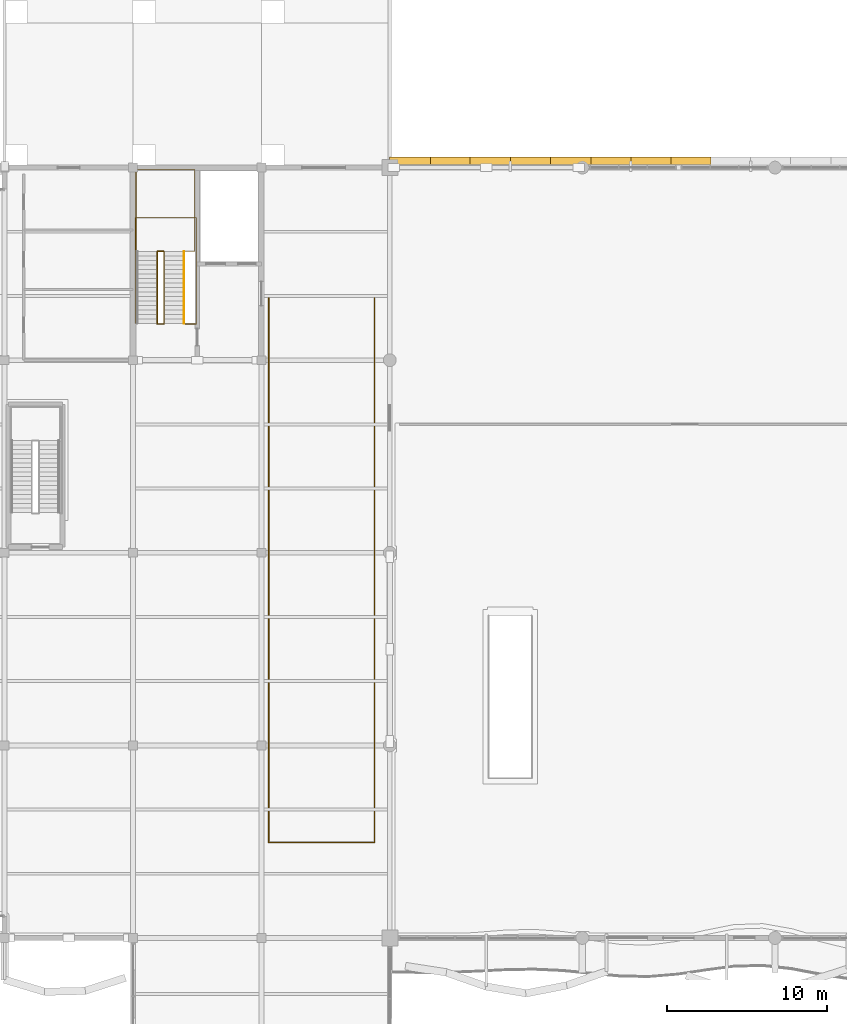
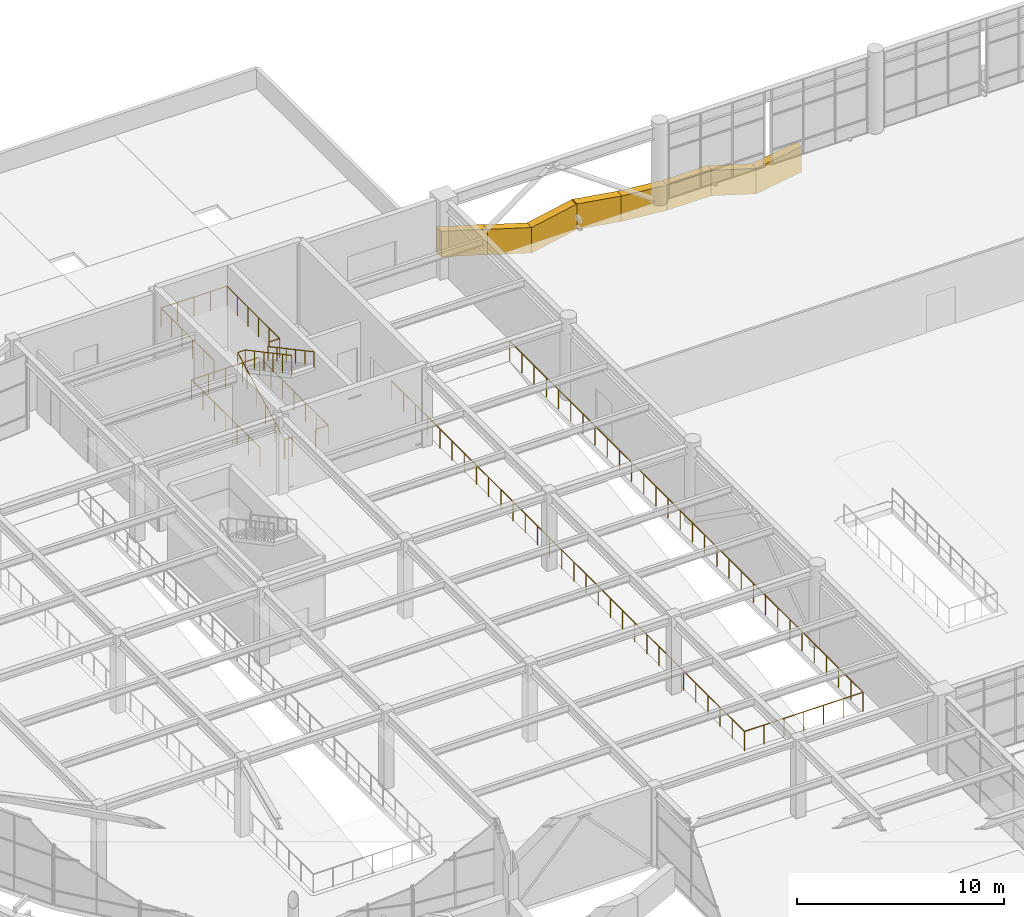
# One storey, part 64 of 72: 8 coverings, 6 railings.
"""IFC4 building model written with IfcOpenShell, lengths in metres."""

from ifc_helpers import new_model, si_unit, direction, frame, origin, origin_2d, place, context, subcontext, project, spatial, polyline, circle, outline, extrude, material, layer, layer_set, type_object, element, save


model = new_model("IFC4")

# Units and contexts
model_context = context("Model", 3, precision=1e-05, world=origin(), true_north=direction((0.0, 1.0)))
body_context = subcontext(model_context, "Body", "Model", "MODEL_VIEW")
ifc_project = project(units=[si_unit("LENGTHUNIT", "METRE"), si_unit("AREAUNIT", "SQUARE_METRE"), si_unit("VOLUMEUNIT", "CUBIC_METRE"), si_unit("PLANEANGLEUNIT", "RADIAN"), si_unit("MASSUNIT", "GRAM", prefix="KILO")], contexts=[model_context])

# Site, building, storey
site_placement = place(None, origin())
site = spatial("IfcSite", under=ifc_project, at=site_placement, CompositionType="ELEMENT")
building_placement = place(site_placement, origin())
building = spatial("IfcBuilding", under=site, at=building_placement, Name="Keelwater Ferry Terminal", CompositionType="ELEMENT")
storey_placement = place(building_placement, frame((0.0, 0.0, 5.39990234375)))
storey = spatial("IfcBuildingStorey", under=building, at=storey_placement, Name="L01", CompositionType="ELEMENT", Elevation=5.39990234375)

# Railings
ifc_material_1 = material(Name="Painted Steel S355", Category="steel")
railing_type_1 = type_object("IfcRailingType", Name="GR-115 Stair Well Guardrail", PredefinedType="GUARDRAIL", material=ifc_material_1)
railing_1_placement = place(storey_placement, frame((33.510009765625, 80.260009765625, 0.0)))
element("IfcRailing", 1, at=railing_1_placement, inside=storey, type_object=railing_type_1, Name="Stair ST-C1-L00 Slot Threshold Guard 5", PredefinedType="GUARDRAIL", context=body_context, shape_type="SweptSolid", body=[
    extrude(circle(Radius=0.02392578125, at=origin_2d()), frame((0.0, 0.0, 1.1259765625), z_axis=(1.0, 0.0, 0.0), x_axis=(0.0, 1.0, 0.0)), (0.0, 0.0, 1.0), 0.419921875),
    extrude(circle(Radius=0.02099609375, at=origin_2d()), origin(), (0.0, 0.0, 1.0), 1.101806640625),
    extrude(circle(Radius=0.02099609375, at=origin_2d()), frame((0.419921875, 0.0, 0.0)), (0.0, 0.0, 1.0), 1.101806640625),
])
railing_2_placement = place(storey_placement, frame((32.159912109375, 80.300048828125, 0.0)))
element("IfcRailing", 2, at=railing_2_placement, inside=storey, type_object=railing_type_1, Name="Stair ST-C1-L00 Shaft Perimeter Guard 6", PredefinedType="GUARDRAIL", context=body_context, shape_type="SweptSolid", body=[
    extrude(circle(Radius=0.02392578125, at=origin_2d()), frame((0.0, 0.0, 1.1259765625), z_axis=(0.0, 1.0, 0.0), x_axis=(-1.0, 0.0, 0.0)), (0.0, 0.0, 1.0), 6.579833984375),
    extrude(circle(Radius=0.02392578125, at=origin_2d()), frame((0.0, 6.579833984375, 1.1259765625), z_axis=(1.0, 0.0, 0.0), x_axis=(0.0, 1.0, 0.0)), (0.0, 0.0, 1.0), 3.780029296875),
    extrude(circle(Radius=0.02392578125, at=origin_2d()), frame((3.780029296875, 6.579833984375, 1.1259765625), z_axis=(0.0, -1.0, 0.0), x_axis=(1.0, 0.0, 0.0)), (0.0, 0.0, 1.0), 6.619873046875),
    extrude(circle(Radius=0.02392578125, at=origin_2d()), frame((3.780029296875, -0.0400390625, 1.1259765625), z_axis=(-1.0, 0.0, 0.0), x_axis=(0.0, -1.0, 0.0)), (0.0, 0.0, 1.0), 0.699951171875),
    extrude(circle(Radius=0.02099609375, at=origin_2d()), origin(), (0.0, 0.0, 1.0), 1.101806640625),
    extrude(circle(Radius=0.02099609375, at=origin_2d()), frame((0.0, 1.0966796875, 0.0)), (0.0, 0.0, 1.0), 1.101806640625),
    extrude(circle(Radius=0.02099609375, at=origin_2d()), frame((0.0, 2.193359375, 0.0)), (0.0, 0.0, 1.0), 1.101806640625),
    extrude(circle(Radius=0.02099609375, at=origin_2d()), frame((0.0, 3.2900390625, 0.0)), (0.0, 0.0, 1.0), 1.101806640625),
    extrude(circle(Radius=0.02099609375, at=origin_2d()), frame((0.0, 4.386474609375, 0.0)), (0.0, 0.0, 1.0), 1.101806640625),
    extrude(circle(Radius=0.02099609375, at=origin_2d()), frame((0.0, 5.483154296875, 0.0)), (0.0, 0.0, 1.0), 1.101806640625),
    extrude(circle(Radius=0.02099609375, at=origin_2d()), frame((0.0, 6.579833984375, 0.0)), (0.0, 0.0, 1.0), 1.101806640625),
    extrude(circle(Radius=0.02099609375, at=origin_2d()), frame((0.945068359375, 6.579833984375, 0.0)), (0.0, 0.0, 1.0), 1.101806640625),
    extrude(circle(Radius=0.02099609375, at=origin_2d()), frame((1.89013671875, 6.579833984375, 0.0)), (0.0, 0.0, 1.0), 1.101806640625),
    extrude(circle(Radius=0.02099609375, at=origin_2d()), frame((2.8349609375, 6.579833984375, 0.0)), (0.0, 0.0, 1.0), 1.101806640625),
    extrude(circle(Radius=0.02099609375, at=origin_2d()), frame((3.780029296875, 6.579833984375, 0.0)), (0.0, 0.0, 1.0), 1.101806640625),
    extrude(circle(Radius=0.02099609375, at=origin_2d()), frame((3.780029296875, 5.4765625, 0.0)), (0.0, 0.0, 1.0), 1.101806640625),
    extrude(circle(Radius=0.02099609375, at=origin_2d()), frame((3.780029296875, 4.373291015625, 0.0)), (0.0, 0.0, 1.0), 1.101806640625),
    extrude(circle(Radius=0.02099609375, at=origin_2d()), frame((3.780029296875, 3.27001953125, 0.0)), (0.0, 0.0, 1.0), 1.101806640625),
    extrude(circle(Radius=0.02099609375, at=origin_2d()), frame((3.780029296875, 2.16650390625, 0.0)), (0.0, 0.0, 1.0), 1.101806640625),
    extrude(circle(Radius=0.02099609375, at=origin_2d()), frame((3.780029296875, 1.063232421875, 0.0)), (0.0, 0.0, 1.0), 1.101806640625),
    extrude(circle(Radius=0.02099609375, at=origin_2d()), frame((3.780029296875, -0.0400390625, 0.0)), (0.0, 0.0, 1.0), 1.101806640625),
    extrude(circle(Radius=0.02099609375, at=origin_2d()), frame((3.080078125, -0.0400390625, 0.0)), (0.0, 0.0, 1.0), 1.101806640625),
])
railing_3_placement = place(storey_placement, frame((33.510009765625, 80.300048828125, 0.0)))
element("IfcRailing", 3, at=railing_3_placement, inside=storey, type_object=railing_type_1, Name="Stair ST-C1-L01 Inner Well Guard 7", PredefinedType="GUARDRAIL", context=body_context, shape_type="SweptSolid", body=[
    extrude(circle(Radius=0.02392578125, at=origin_2d()), frame((0.0, 0.0, 1.1259765625), z_axis=(0.0, 0.881467115574, 0.472245406714), x_axis=(-1.0, 0.0, 0.0)), (0.0, 0.0, 1.0), 5.08251953125),
    extrude(circle(Radius=0.02392578125, at=origin_2d()), frame((0.0, 4.47998046875, 3.52587890625), z_axis=(1.0, 0.0, 0.0), x_axis=(0.0, 1.0, 0.0)), (0.0, 0.0, 1.0), 0.419921875),
    extrude(circle(Radius=0.02392578125, at=origin_2d()), frame((0.419921875, 4.47998046875, 3.52587890625), z_axis=(0.0, -0.881487111273, 0.472208081951), x_axis=(1.0, 0.0, 0.0)), (0.0, 0.0, 1.0), 5.082275390625),
    extrude(circle(Radius=0.02099609375, at=origin_2d()), origin(), (0.0, 0.0, 1.0), 1.101806640625),
    extrude(circle(Radius=0.02099609375, at=origin_2d()), frame((0.0, 0.89599609375, 0.47998046875)), (0.0, 0.0, 1.0), 1.101806640625),
    extrude(circle(Radius=0.02099609375, at=origin_2d()), frame((0.0, 1.7919921875, 0.9599609375)), (0.0, 0.0, 1.0), 1.101806640625),
    extrude(circle(Radius=0.02099609375, at=origin_2d()), frame((0.0, 2.68798828125, 1.440185546875)), (0.0, 0.0, 1.0), 1.101806640625),
    extrude(circle(Radius=0.02099609375, at=origin_2d()), frame((0.0, 3.583984375, 1.920166015625)), (0.0, 0.0, 1.0), 1.101806640625),
    extrude(circle(Radius=0.02099609375, at=origin_2d()), frame((0.0, 4.47998046875, 2.400146484375)), (0.0, 0.0, 1.0), 1.101806640625),
    extrude(circle(Radius=0.02099609375, at=origin_2d()), frame((0.419921875, 4.47998046875, 2.400146484375)), (0.0, 0.0, 1.0), 1.101806640625),
    extrude(circle(Radius=0.02099609375, at=origin_2d()), frame((0.419921875, 3.583984375, 2.880126953125)), (0.0, 0.0, 1.0), 1.101806640625),
    extrude(circle(Radius=0.02099609375, at=origin_2d()), frame((0.419921875, 2.68798828125, 3.360107421875)), (0.0, 0.0, 1.0), 1.101806640625),
    extrude(circle(Radius=0.02099609375, at=origin_2d()), frame((0.419921875, 1.7919921875, 3.840087890625)), (0.0, 0.0, 1.0), 1.101806640625),
    extrude(circle(Radius=0.02099609375, at=origin_2d()), frame((0.419921875, 0.89599609375, 4.320068359375)), (0.0, 0.0, 1.0), 1.101806640625),
    extrude(circle(Radius=0.02099609375, at=origin_2d()), frame((0.419921875, 0.0, 4.800048828125)), (0.0, 0.0, 1.0), 1.101806640625),
])
railing_4_placement = place(storey_placement, frame((32.199951171875, 84.780029296875, 2.400146484375)))
element("IfcRailing", 4, at=railing_4_placement, inside=storey, type_object=railing_type_1, Name="Stair ST-C1-L01 Half-Landing Guard 8", PredefinedType="GUARDRAIL", context=body_context, shape_type="SweptSolid", body=[
    extrude(circle(Radius=0.02392578125, at=origin_2d()), frame((0.0, 0.0, 1.1259765625), z_axis=(-1.0, 0.0, 0.0), x_axis=(0.0, -1.0, 0.0)), (0.0, 0.0, 1.0), 0.02001953125),
    extrude(circle(Radius=0.02392578125, at=origin_2d()), frame((-0.02001953125, 0.0, 1.1259765625), z_axis=(0.0, 1.0, 0.0), x_axis=(-1.0, 0.0, 0.0)), (0.0, 0.0, 1.0), 5.090087890625),
    extrude(circle(Radius=0.02392578125, at=origin_2d()), frame((-0.02001953125, 5.090087890625, 1.1259765625), z_axis=(1.0, 0.0, 0.0), x_axis=(0.0, 1.0, 0.0)), (0.0, 0.0, 1.0), 3.670166015625),
    extrude(circle(Radius=0.02392578125, at=origin_2d()), frame((3.650146484375, 5.090087890625, 1.1259765625), z_axis=(0.0, -1.0, 0.0), x_axis=(1.0, 0.0, 0.0)), (0.0, 0.0, 1.0), 5.090087890625),
    extrude(circle(Radius=0.02392578125, at=origin_2d()), frame((3.650146484375, 0.0, 1.1259765625), z_axis=(-1.0, 0.0, 0.0), x_axis=(0.0, -1.0, 0.0)), (0.0, 0.0, 1.0), 0.610107421875),
    extrude(circle(Radius=0.02099609375, at=origin_2d()), origin(), (0.0, 0.0, 1.0), 1.101806640625),
    extrude(circle(Radius=0.02099609375, at=origin_2d()), frame((-0.02001953125, 0.0, 0.0)), (0.0, 0.0, 1.0), 1.101806640625),
    extrude(circle(Radius=0.02099609375, at=origin_2d()), frame((-0.02001953125, 1.01806640625, 0.0)), (0.0, 0.0, 1.0), 1.101806640625),
    extrude(circle(Radius=0.02099609375, at=origin_2d()), frame((-0.02001953125, 2.0361328125, 0.0)), (0.0, 0.0, 1.0), 1.101806640625),
    extrude(circle(Radius=0.02099609375, at=origin_2d()), frame((-0.02001953125, 3.053955078125, 0.0)), (0.0, 0.0, 1.0), 1.101806640625),
    extrude(circle(Radius=0.02099609375, at=origin_2d()), frame((-0.02001953125, 4.072021484375, 0.0)), (0.0, 0.0, 1.0), 1.101806640625),
    extrude(circle(Radius=0.02099609375, at=origin_2d()), frame((-0.02001953125, 5.090087890625, 0.0)), (0.0, 0.0, 1.0), 1.101806640625),
    extrude(circle(Radius=0.02099609375, at=origin_2d()), frame((0.8974609375, 5.090087890625, 0.0)), (0.0, 0.0, 1.0), 1.101806640625),
    extrude(circle(Radius=0.02099609375, at=origin_2d()), frame((1.81494140625, 5.090087890625, 0.0)), (0.0, 0.0, 1.0), 1.101806640625),
    extrude(circle(Radius=0.02099609375, at=origin_2d()), frame((2.732666015625, 5.090087890625, 0.0)), (0.0, 0.0, 1.0), 1.101806640625),
    extrude(circle(Radius=0.02099609375, at=origin_2d()), frame((3.650146484375, 5.090087890625, 0.0)), (0.0, 0.0, 1.0), 1.101806640625),
    extrude(circle(Radius=0.02099609375, at=origin_2d()), frame((3.650146484375, 4.072021484375, 0.0)), (0.0, 0.0, 1.0), 1.101806640625),
    extrude(circle(Radius=0.02099609375, at=origin_2d()), frame((3.650146484375, 3.053955078125, 0.0)), (0.0, 0.0, 1.0), 1.101806640625),
    extrude(circle(Radius=0.02099609375, at=origin_2d()), frame((3.650146484375, 2.0361328125, 0.0)), (0.0, 0.0, 1.0), 1.101806640625),
    extrude(circle(Radius=0.02099609375, at=origin_2d()), frame((3.650146484375, 1.01806640625, 0.0)), (0.0, 0.0, 1.0), 1.101806640625),
    extrude(circle(Radius=0.02099609375, at=origin_2d()), frame((3.650146484375, 0.0, 0.0)), (0.0, 0.0, 1.0), 1.101806640625),
    extrude(circle(Radius=0.02099609375, at=origin_2d()), frame((3.0400390625, 0.0, 0.0)), (0.0, 0.0, 1.0), 1.101806640625),
])
railing_5_placement = place(storey_placement, frame((40.449951171875, 82.0, 0.0)))
element("IfcRailing", 5, at=railing_5_placement, inside=storey, type_object=railing_type_1, Name="VR2 L01 Deck Slot Guard 138", PredefinedType="GUARDRAIL", context=body_context, shape_type="SweptSolid", body=[
    extrude(circle(Radius=0.02392578125, at=origin_2d()), frame((0.0, 0.0, 1.1259765625), z_axis=(0.0, -1.0, 0.0), x_axis=(1.0, 0.0, 0.0)), (0.0, 0.0, 1.0), 34.050048828125),
    extrude(circle(Radius=0.02392578125, at=origin_2d()), frame((0.0, -34.050048828125, 1.1259765625), z_axis=(1.0, 0.0, 0.0), x_axis=(0.0, 1.0, 0.0)), (0.0, 0.0, 1.0), 6.60009765625),
    extrude(circle(Radius=0.02392578125, at=origin_2d()), frame((6.60009765625, -34.050048828125, 1.1259765625), z_axis=(0.0, 1.0, 0.0), x_axis=(-1.0, 0.0, 0.0)), (0.0, 0.0, 1.0), 34.050048828125),
    extrude(circle(Radius=0.02099609375, at=origin_2d()), origin(), (0.0, 0.0, 1.0), 1.101806640625),
    extrude(circle(Radius=0.02099609375, at=origin_2d()), frame((0.0, -1.174072265625, 0.0)), (0.0, 0.0, 1.0), 1.101806640625),
    extrude(circle(Radius=0.02099609375, at=origin_2d()), frame((0.0, -2.348388671875, 0.0)), (0.0, 0.0, 1.0), 1.101806640625),
    extrude(circle(Radius=0.02099609375, at=origin_2d()), frame((0.0, -3.5224609375, 0.0)), (0.0, 0.0, 1.0), 1.101806640625),
    extrude(circle(Radius=0.02099609375, at=origin_2d()), frame((0.0, -4.696533203125, 0.0)), (0.0, 0.0, 1.0), 1.101806640625),
    extrude(circle(Radius=0.02099609375, at=origin_2d()), frame((0.0, -5.87060546875, 0.0)), (0.0, 0.0, 1.0), 1.101806640625),
    extrude(circle(Radius=0.02099609375, at=origin_2d()), frame((0.0, -7.044921875, 0.0)), (0.0, 0.0, 1.0), 1.101806640625),
    extrude(circle(Radius=0.02099609375, at=origin_2d()), frame((0.0, -8.218994140625, 0.0)), (0.0, 0.0, 1.0), 1.101806640625),
    extrude(circle(Radius=0.02099609375, at=origin_2d()), frame((0.0, -9.39306640625, 0.0)), (0.0, 0.0, 1.0), 1.101806640625),
    extrude(circle(Radius=0.02099609375, at=origin_2d()), frame((0.0, -10.567138671875, 0.0)), (0.0, 0.0, 1.0), 1.101806640625),
    extrude(circle(Radius=0.02099609375, at=origin_2d()), frame((0.0, -11.741455078125, 0.0)), (0.0, 0.0, 1.0), 1.101806640625),
    extrude(circle(Radius=0.02099609375, at=origin_2d()), frame((0.0, -12.91552734375, 0.0)), (0.0, 0.0, 1.0), 1.101806640625),
    extrude(circle(Radius=0.02099609375, at=origin_2d()), frame((0.0, -14.089599609375, 0.0)), (0.0, 0.0, 1.0), 1.101806640625),
    extrude(circle(Radius=0.02099609375, at=origin_2d()), frame((0.0, -15.263916015625, 0.0)), (0.0, 0.0, 1.0), 1.101806640625),
    extrude(circle(Radius=0.02099609375, at=origin_2d()), frame((0.0, -16.43798828125, 0.0)), (0.0, 0.0, 1.0), 1.101806640625),
    extrude(circle(Radius=0.02099609375, at=origin_2d()), frame((0.0, -17.612060546875, 0.0)), (0.0, 0.0, 1.0), 1.101806640625),
    extrude(circle(Radius=0.02099609375, at=origin_2d()), frame((0.0, -18.7861328125, 0.0)), (0.0, 0.0, 1.0), 1.101806640625),
    extrude(circle(Radius=0.02099609375, at=origin_2d()), frame((0.0, -19.96044921875, 0.0)), (0.0, 0.0, 1.0), 1.101806640625),
    extrude(circle(Radius=0.02099609375, at=origin_2d()), frame((0.0, -21.134521484375, 0.0)), (0.0, 0.0, 1.0), 1.101806640625),
    extrude(circle(Radius=0.02099609375, at=origin_2d()), frame((0.0, -22.30859375, 0.0)), (0.0, 0.0, 1.0), 1.101806640625),
    extrude(circle(Radius=0.02099609375, at=origin_2d()), frame((0.0, -23.48291015625, 0.0)), (0.0, 0.0, 1.0), 1.101806640625),
    extrude(circle(Radius=0.02099609375, at=origin_2d()), frame((0.0, -24.656982421875, 0.0)), (0.0, 0.0, 1.0), 1.101806640625),
    extrude(circle(Radius=0.02099609375, at=origin_2d()), frame((0.0, -25.8310546875, 0.0)), (0.0, 0.0, 1.0), 1.101806640625),
    extrude(circle(Radius=0.02099609375, at=origin_2d()), frame((0.0, -27.005126953125, 0.0)), (0.0, 0.0, 1.0), 1.101806640625),
    extrude(circle(Radius=0.02099609375, at=origin_2d()), frame((0.0, -28.179443359375, 0.0)), (0.0, 0.0, 1.0), 1.101806640625),
    extrude(circle(Radius=0.02099609375, at=origin_2d()), frame((0.0, -29.353515625, 0.0)), (0.0, 0.0, 1.0), 1.101806640625),
    extrude(circle(Radius=0.02099609375, at=origin_2d()), frame((0.0, -30.527587890625, 0.0)), (0.0, 0.0, 1.0), 1.101806640625),
    extrude(circle(Radius=0.02099609375, at=origin_2d()), frame((0.0, -31.70166015625, 0.0)), (0.0, 0.0, 1.0), 1.101806640625),
    extrude(circle(Radius=0.02099609375, at=origin_2d()), frame((0.0, -32.8759765625, 0.0)), (0.0, 0.0, 1.0), 1.101806640625),
    extrude(circle(Radius=0.02099609375, at=origin_2d()), frame((0.0, -34.050048828125, 0.0)), (0.0, 0.0, 1.0), 1.101806640625),
    extrude(circle(Radius=0.02099609375, at=origin_2d()), frame((1.10009765625, -34.050048828125, 0.0)), (0.0, 0.0, 1.0), 1.101806640625),
    extrude(circle(Radius=0.02099609375, at=origin_2d()), frame((2.199951171875, -34.050048828125, 0.0)), (0.0, 0.0, 1.0), 1.101806640625),
    extrude(circle(Radius=0.02099609375, at=origin_2d()), frame((3.300048828125, -34.050048828125, 0.0)), (0.0, 0.0, 1.0), 1.101806640625),
    extrude(circle(Radius=0.02099609375, at=origin_2d()), frame((4.400146484375, -34.050048828125, 0.0)), (0.0, 0.0, 1.0), 1.101806640625),
    extrude(circle(Radius=0.02099609375, at=origin_2d()), frame((5.5, -34.050048828125, 0.0)), (0.0, 0.0, 1.0), 1.101806640625),
    extrude(circle(Radius=0.02099609375, at=origin_2d()), frame((6.60009765625, -34.050048828125, 0.0)), (0.0, 0.0, 1.0), 1.101806640625),
    extrude(circle(Radius=0.02099609375, at=origin_2d()), frame((6.60009765625, -32.8759765625, 0.0)), (0.0, 0.0, 1.0), 1.101806640625),
    extrude(circle(Radius=0.02099609375, at=origin_2d()), frame((6.60009765625, -31.70166015625, 0.0)), (0.0, 0.0, 1.0), 1.101806640625),
    extrude(circle(Radius=0.02099609375, at=origin_2d()), frame((6.60009765625, -30.527587890625, 0.0)), (0.0, 0.0, 1.0), 1.101806640625),
    extrude(circle(Radius=0.02099609375, at=origin_2d()), frame((6.60009765625, -29.353515625, 0.0)), (0.0, 0.0, 1.0), 1.101806640625),
    extrude(circle(Radius=0.02099609375, at=origin_2d()), frame((6.60009765625, -28.179443359375, 0.0)), (0.0, 0.0, 1.0), 1.101806640625),
    extrude(circle(Radius=0.02099609375, at=origin_2d()), frame((6.60009765625, -27.005126953125, 0.0)), (0.0, 0.0, 1.0), 1.101806640625),
    extrude(circle(Radius=0.02099609375, at=origin_2d()), frame((6.60009765625, -25.8310546875, 0.0)), (0.0, 0.0, 1.0), 1.101806640625),
    extrude(circle(Radius=0.02099609375, at=origin_2d()), frame((6.60009765625, -24.656982421875, 0.0)), (0.0, 0.0, 1.0), 1.101806640625),
    extrude(circle(Radius=0.02099609375, at=origin_2d()), frame((6.60009765625, -23.48291015625, 0.0)), (0.0, 0.0, 1.0), 1.101806640625),
    extrude(circle(Radius=0.02099609375, at=origin_2d()), frame((6.60009765625, -22.30859375, 0.0)), (0.0, 0.0, 1.0), 1.101806640625),
    extrude(circle(Radius=0.02099609375, at=origin_2d()), frame((6.60009765625, -21.134521484375, 0.0)), (0.0, 0.0, 1.0), 1.101806640625),
    extrude(circle(Radius=0.02099609375, at=origin_2d()), frame((6.60009765625, -19.96044921875, 0.0)), (0.0, 0.0, 1.0), 1.101806640625),
    extrude(circle(Radius=0.02099609375, at=origin_2d()), frame((6.60009765625, -18.7861328125, 0.0)), (0.0, 0.0, 1.0), 1.101806640625),
    extrude(circle(Radius=0.02099609375, at=origin_2d()), frame((6.60009765625, -17.612060546875, 0.0)), (0.0, 0.0, 1.0), 1.101806640625),
    extrude(circle(Radius=0.02099609375, at=origin_2d()), frame((6.60009765625, -16.43798828125, 0.0)), (0.0, 0.0, 1.0), 1.101806640625),
    extrude(circle(Radius=0.02099609375, at=origin_2d()), frame((6.60009765625, -15.263916015625, 0.0)), (0.0, 0.0, 1.0), 1.101806640625),
    extrude(circle(Radius=0.02099609375, at=origin_2d()), frame((6.60009765625, -14.089599609375, 0.0)), (0.0, 0.0, 1.0), 1.101806640625),
    extrude(circle(Radius=0.02099609375, at=origin_2d()), frame((6.60009765625, -12.91552734375, 0.0)), (0.0, 0.0, 1.0), 1.101806640625),
    extrude(circle(Radius=0.02099609375, at=origin_2d()), frame((6.60009765625, -11.741455078125, 0.0)), (0.0, 0.0, 1.0), 1.101806640625),
    extrude(circle(Radius=0.02099609375, at=origin_2d()), frame((6.60009765625, -10.567138671875, 0.0)), (0.0, 0.0, 1.0), 1.101806640625),
    extrude(circle(Radius=0.02099609375, at=origin_2d()), frame((6.60009765625, -9.39306640625, 0.0)), (0.0, 0.0, 1.0), 1.101806640625),
    extrude(circle(Radius=0.02099609375, at=origin_2d()), frame((6.60009765625, -8.218994140625, 0.0)), (0.0, 0.0, 1.0), 1.101806640625),
    extrude(circle(Radius=0.02099609375, at=origin_2d()), frame((6.60009765625, -7.044921875, 0.0)), (0.0, 0.0, 1.0), 1.101806640625),
    extrude(circle(Radius=0.02099609375, at=origin_2d()), frame((6.60009765625, -5.87060546875, 0.0)), (0.0, 0.0, 1.0), 1.101806640625),
    extrude(circle(Radius=0.02099609375, at=origin_2d()), frame((6.60009765625, -4.696533203125, 0.0)), (0.0, 0.0, 1.0), 1.101806640625),
    extrude(circle(Radius=0.02099609375, at=origin_2d()), frame((6.60009765625, -3.5224609375, 0.0)), (0.0, 0.0, 1.0), 1.101806640625),
    extrude(circle(Radius=0.02099609375, at=origin_2d()), frame((6.60009765625, -2.348388671875, 0.0)), (0.0, 0.0, 1.0), 1.101806640625),
    extrude(circle(Radius=0.02099609375, at=origin_2d()), frame((6.60009765625, -1.174072265625, 0.0)), (0.0, 0.0, 1.0), 1.101806640625),
    extrude(circle(Radius=0.02099609375, at=origin_2d()), frame((6.60009765625, 0.0, 0.0)), (0.0, 0.0, 1.0), 1.101806640625),
])
ifc_material_2 = material(Name="Brushed stainless steel handrail", Category="steel")
railing_type_2 = type_object("IfcRailingType", Name="HR-920 Stair Pitch Handrail", PredefinedType="HANDRAIL", material=ifc_material_2)
railing_6_placement = place(storey_placement, frame((35.179931640625, 84.780029296875, 2.400146484375)))
element("IfcRailing", 6, at=railing_6_placement, inside=storey, type_object=railing_type_2, Name="Stair ST-C1-L01 Flight 2 Handrail 10", PredefinedType="HANDRAIL", context=body_context, shape_type="SweptSolid", body=[
    extrude(circle(Radius=0.02392578125, at=origin_2d()), frame((0.0, 0.0, 0.89599609375), z_axis=(0.0, -0.881487111273, 0.472208081951), x_axis=(1.0, 0.0, 0.0)), (0.0, 0.0, 1.0), 5.082275390625),
    extrude(circle(Radius=0.02099609375, at=origin_2d()), origin(), (0.0, 0.0, 1.0), 0.871826171875),
    extrude(circle(Radius=0.02099609375, at=origin_2d()), frame((0.0, -0.89599609375, 0.47998046875)), (0.0, 0.0, 1.0), 0.871826171875),
    extrude(circle(Radius=0.02099609375, at=origin_2d()), frame((0.0, -1.7919921875, 0.9599609375)), (0.0, 0.0, 1.0), 0.871826171875),
    extrude(circle(Radius=0.02099609375, at=origin_2d()), frame((0.0, -2.68798828125, 1.43994140625)), (0.0, 0.0, 1.0), 0.871826171875),
    extrude(circle(Radius=0.02099609375, at=origin_2d()), frame((0.0, -3.583984375, 1.919921875)), (0.0, 0.0, 1.0), 0.871826171875),
    extrude(circle(Radius=0.02099609375, at=origin_2d()), frame((0.0, -4.47998046875, 2.39990234375)), (0.0, 0.0, 1.0), 0.871826171875),
])

# Coverings
ifc_material_3 = material(Name="Matte white architectural aluminium fascia ribbon", Category="aluminium")
ifc_layer = layer(ifc_material_3, 0.1201171875)
ifc_layer_set = layer_set([ifc_layer], Name="Matte white architectural aluminium fascia ribbon")
covering_type = type_object("IfcCoveringType", Name="RB-WHT Matte White Fascia Ribbon", PredefinedType="CLADDING", material=ifc_layer_set)
covering_1_placement = place(storey_placement, frame((68.02490234375, 90.419921875, -1.6279296875), z_axis=(0.0, 0.0, 1.0), x_axis=(-1.0, 0.0, 0.0)))
element("IfcCovering", 7, at=covering_1_placement, inside=storey, type_object=covering_type, Name="Concourse Lower Wave Fascia Ribbon 108", PredefinedType="CLADDING", context=body_context, shape_type="SweptSolid", body=[
    extrude(outline(polyline([(0.0, 0.407958984375), (2.5498046875, 0.0), (2.5498046875, 1.5), (0.0, 1.907958984375), (0.0, 0.407958984375)])), frame((0.0, 0.22998046875, 0.0), z_axis=(0.0, -1.0, 0.0), x_axis=(1.0, 0.0, 0.0)), (0.0, 0.0, 1.0), 0.4599609375),
])
covering_2_placement = place(storey_placement, frame((65.52490234375, 90.419921875, -1.6279296875), z_axis=(0.0, 0.0, 1.0), x_axis=(-1.0, 0.0, 0.0)))
element("IfcCovering", 8, at=covering_2_placement, inside=storey, type_object=covering_type, Name="Concourse Lower Wave Fascia Ribbon 112", PredefinedType="CLADDING", context=body_context, shape_type="SweptSolid", body=[
    extrude(outline(polyline([(0.0, 0.0), (2.5498046875, 0.77294921875), (2.5498046875, 2.27294921875), (0.0, 1.5), (0.0, 0.0)])), frame((0.0, 0.22998046875, 0.0), z_axis=(0.0, -1.0, 0.0), x_axis=(1.0, 0.0, 0.0)), (0.0, 0.0, 1.0), 0.4599609375),
])
covering_3_placement = place(storey_placement, frame((63.02490234375, 90.419921875, -0.85693359375), z_axis=(0.0, 0.0, 1.0), x_axis=(-1.0, 0.0, 0.0)))
element("IfcCovering", 9, at=covering_3_placement, inside=storey, type_object=covering_type, Name="Concourse Lower Wave Fascia Ribbon 116", PredefinedType="CLADDING", context=body_context, shape_type="SweptSolid", body=[
    extrude(outline(polyline([(0.0, 0.001953125), (2.5498046875, 0.0), (2.5498046875, 1.5), (0.0, 1.501953125), (0.0, 0.001953125)])), frame((0.0, 0.22998046875, 0.0), z_axis=(0.0, -1.0, 0.0), x_axis=(1.0, 0.0, 0.0)), (0.0, 0.0, 1.0), 0.4599609375),
])
covering_4_placement = place(storey_placement, frame((60.52490234375, 90.419921875, -0.85693359375), z_axis=(0.0, 0.0, 1.0), x_axis=(-1.0, 0.0, 0.0)))
element("IfcCovering", 10, at=covering_4_placement, inside=storey, type_object=covering_type, Name="Concourse Lower Wave Fascia Ribbon 127", PredefinedType="CLADDING", context=body_context, shape_type="SweptSolid", body=[
    extrude(outline(polyline([(0.0, 0.0), (2.5498046875, 0.235107421875), (2.5498046875, 1.735107421875), (0.0, 1.5), (0.0, 0.0)])), frame((0.0, 0.22998046875, 0.0), z_axis=(0.0, -1.0, 0.0), x_axis=(1.0, 0.0, 0.0)), (0.0, 0.0, 1.0), 0.4599609375),
])
covering_5_placement = place(storey_placement, frame((58.02490234375, 90.419921875, -0.621826171875), z_axis=(0.0, 0.0, 1.0), x_axis=(-1.0, 0.0, 0.0)))
element("IfcCovering", 11, at=covering_5_placement, inside=storey, type_object=covering_type, Name="Concourse Lower Wave Fascia Ribbon 131", PredefinedType="CLADDING", context=body_context, shape_type="SweptSolid", body=[
    extrude(outline(polyline([(0.0, 0.0), (2.5498046875, 0.405029296875), (2.5498046875, 1.905029296875), (0.0, 1.5), (0.0, 0.0)])), frame((0.0, 0.22998046875, 0.0), z_axis=(0.0, -1.0, 0.0), x_axis=(1.0, 0.0, 0.0)), (0.0, 0.0, 1.0), 0.4599609375),
])
covering_6_placement = place(storey_placement, frame((55.52490234375, 90.419921875, -0.73193359375), z_axis=(0.0, 0.0, 1.0), x_axis=(-1.0, 0.0, 0.0)))
element("IfcCovering", 12, at=covering_6_placement, inside=storey, type_object=covering_type, Name="Concourse Lower Wave Fascia Ribbon 135", PredefinedType="CLADDING", context=body_context, shape_type="SweptSolid", body=[
    extrude(outline(polyline([(0.0, 0.51513671875), (2.5498046875, 0.0), (2.5498046875, 1.5), (0.0, 2.01513671875), (0.0, 0.51513671875)])), frame((0.0, 0.22998046875, 0.0), z_axis=(0.0, -1.0, 0.0), x_axis=(1.0, 0.0, 0.0)), (0.0, 0.0, 1.0), 0.4599609375),
])
covering_7_placement = place(storey_placement, frame((53.02490234375, 90.419921875, -0.73193359375), z_axis=(0.0, 0.0, 1.0), x_axis=(-1.0, 0.0, 0.0)))
element("IfcCovering", 13, at=covering_7_placement, inside=storey, type_object=covering_type, Name="Concourse Lower Wave Fascia Ribbon 147", PredefinedType="CLADDING", context=body_context, shape_type="SweptSolid", body=[
    extrude(outline(polyline([(0.0, 0.0), (2.5498046875, 0.780029296875), (2.5498046875, 2.280029296875), (0.0, 1.5), (0.0, 0.0)])), frame((0.0, 0.22998046875, 0.0), z_axis=(0.0, -1.0, 0.0), x_axis=(1.0, 0.0, 0.0)), (0.0, 0.0, 1.0), 0.4599609375),
])
covering_8_placement = place(storey_placement, frame((50.52490234375, 90.419921875, 0.048095703125), z_axis=(0.0, 0.0, 1.0), x_axis=(-1.0, 0.0, 0.0)))
element("IfcCovering", 14, at=covering_8_placement, inside=storey, type_object=covering_type, Name="Concourse Lower Wave Fascia Ribbon 151", PredefinedType="CLADDING", context=body_context, shape_type="SweptSolid", body=[
    extrude(outline(polyline([(0.0, 0.0), (2.5498046875, 0.7548828125), (2.5498046875, 2.2548828125), (0.0, 1.5), (0.0, 0.0)])), frame((0.0, 0.22998046875, 0.0), z_axis=(0.0, -1.0, 0.0), x_axis=(1.0, 0.0, 0.0)), (0.0, 0.0, 1.0), 0.4599609375),
])

save(model, "model.ifc")
